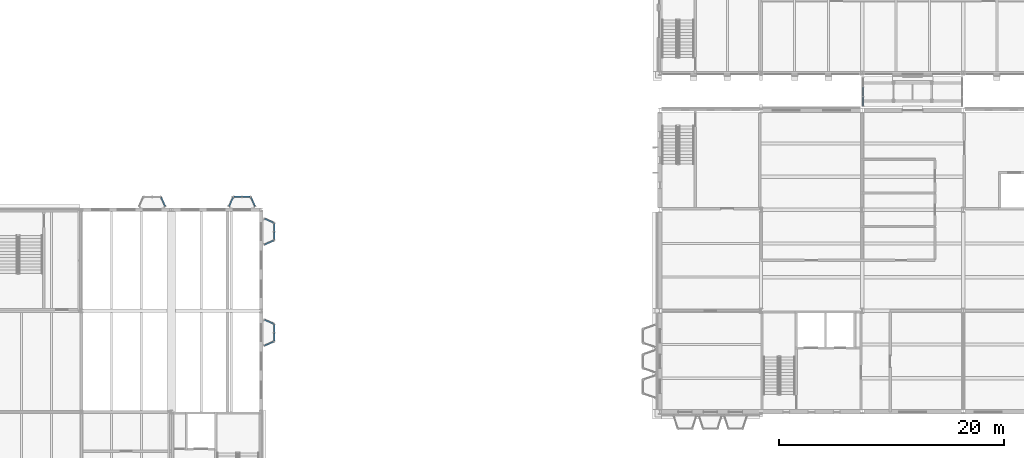
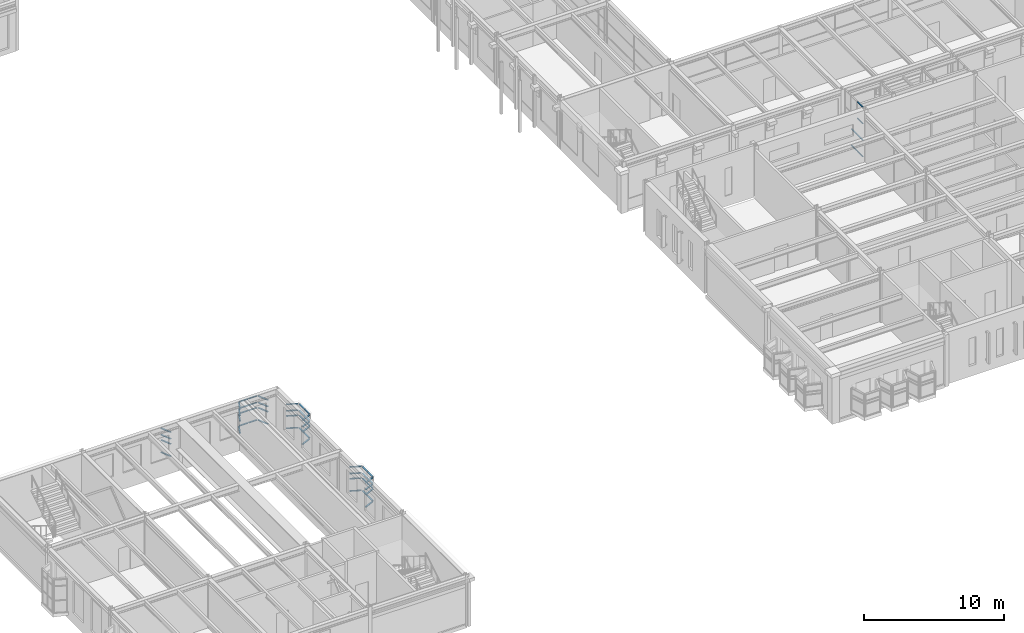
# One storey, part 76 of 153: 58 members, 11 elements without a shape of their own.
"""IFC4 building model written with IfcOpenShell, lengths in metres."""

from ifc_helpers import new_model, si_unit, direction, frame, origin, origin_2d, place, context, subcontext, project, spatial, hollow_rectangle, extrude, material, material_profile, profile_set, type_object, element, aggregate, save


model = new_model("IFC4")

# Units and contexts
model_context = context("Model", 3, precision=1e-05, world=origin(), true_north=direction((0.0, 1.0)))
body_context = subcontext(model_context, "Body", "Model", "MODEL_VIEW")
ifc_project = project(units=[si_unit("LENGTHUNIT", "METRE"), si_unit("AREAUNIT", "SQUARE_METRE"), si_unit("VOLUMEUNIT", "CUBIC_METRE"), si_unit("PLANEANGLEUNIT", "RADIAN"), si_unit("MASSUNIT", "GRAM", prefix="KILO")], contexts=[model_context])

# Site, building, storey
site_placement = place(None, origin())
site = spatial("IfcSite", under=ifc_project, at=site_placement, CompositionType="ELEMENT")
building_placement = place(site_placement, origin())
building = spatial("IfcBuilding", under=site, at=building_placement, Name="Kallimachos Central Library", CompositionType="ELEMENT")
storey_placement = place(building_placement, frame((0.0, 0.0, 5.39990234375)))
storey = spatial("IfcBuildingStorey", under=building, at=storey_placement, Name="L01", CompositionType="ELEMENT", Elevation=5.39990234375)

# Curtain wall, members
ifc_material_1 = material(Name="Laminated glass in anodised aluminium", Category="aluminium")
curtain_wall_type_1 = type_object("IfcCurtainWallType", Name="Foyer curtain wall", PredefinedType="NOTDEFINED", material=ifc_material_1)
curtain_wall_1_placement = place(storey_placement, origin())
curtain_wall_1 = element("IfcCurtainWall", 1, at=curtain_wall_1_placement, inside=storey, type_object=curtain_wall_type_1, Name="Tribune bay return west", PredefinedType="NOTDEFINED")
ifc_material_2 = material(Name="Anodised aluminium", Category="aluminium")
ifc_material_profile_1 = material_profile(ifc_material_2, hollow_rectangle(XDim=0.06005859375, YDim=0.1201171875, WallThickness=0.00390625, at=origin_2d()), Name="ALU TRANSOM 60x120")
ifc_profile_set_1 = profile_set([ifc_material_profile_1], Name="Anodised aluminium")
member_type_1 = type_object("IfcMemberType", Name="ALU TRANSOM 60x120 transom", PredefinedType="USERDEFINED", material=ifc_profile_set_1)
member_1_placement = place(storey_placement, frame((27.1494140625, 36.304931640625, 1.130126953125), z_axis=(0.406217040454, 0.913776622619, 0.0), x_axis=(0.0, 0.0, 1.0)))
member_1 = element("IfcMember", 2, at=member_1_placement, type_object=member_type_1, Name="CW transom 1.1", ObjectType="TRANSOM", PredefinedType="USERDEFINED", context=body_context, shape_type="SweptSolid", body=[
    extrude(hollow_rectangle(XDim=0.06005859375, YDim=0.1201171875, WallThickness=0.00390625, at=origin_2d()), origin(), (0.0, 0.0, 1.0), 0.86474609375),
])
member_2_placement = place(storey_placement, frame((27.1494140625, 36.304931640625, 2.2001953125), z_axis=(0.406217040454, 0.913776622619, 0.0), x_axis=(0.0, 0.0, 1.0)))
member_2 = element("IfcMember", 3, at=member_2_placement, type_object=member_type_1, Name="CW transom 1.2", ObjectType="TRANSOM", PredefinedType="USERDEFINED", context=body_context, shape_type="SweptSolid", body=[
    extrude(hollow_rectangle(XDim=0.06005859375, YDim=0.1201171875, WallThickness=0.00390625, at=origin_2d()), origin(), (0.0, 0.0, 1.0), 0.86474609375),
])
member_3_placement = place(storey_placement, frame((27.1494140625, 36.304931640625, 2.650146484375), z_axis=(0.406217040454, 0.913776622619, 0.0), x_axis=(0.0, 0.0, 1.0)))
member_3 = element("IfcMember", 4, at=member_3_placement, type_object=member_type_1, Name="CW transom 1.3", ObjectType="TRANSOM", PredefinedType="USERDEFINED", context=body_context, shape_type="SweptSolid", body=[
    extrude(hollow_rectangle(XDim=0.06005859375, YDim=0.1201171875, WallThickness=0.00390625, at=origin_2d()), origin(), (0.0, 0.0, 1.0), 0.86474609375),
])
member_4_placement = place(storey_placement, frame((27.1494140625, 36.304931640625, 3.22021484375), z_axis=(0.406217040454, 0.913776622619, 0.0), x_axis=(0.0, 0.0, 1.0)))
member_4 = element("IfcMember", 5, at=member_4_placement, type_object=member_type_1, Name="CW transom 1.4", ObjectType="TRANSOM", PredefinedType="USERDEFINED", context=body_context, shape_type="SweptSolid", body=[
    extrude(hollow_rectangle(XDim=0.06005859375, YDim=0.1201171875, WallThickness=0.00390625, at=origin_2d()), origin(), (0.0, 0.0, 1.0), 0.86474609375),
])
aggregate(curtain_wall_1, [member_1, member_2, member_3, member_4])

curtain_wall_2_placement = place(storey_placement, origin())
curtain_wall_2 = element("IfcCurtainWall", 6, at=curtain_wall_2_placement, inside=storey, type_object=curtain_wall_type_1, Name="Tribune bay front", PredefinedType="NOTDEFINED")
member_5_placement = place(storey_placement, frame((27.5849609375, 37.14990234375, 1.130126953125), z_axis=(1.0, 0.0, 0.0), x_axis=(0.0, 0.0, 1.0)))
member_5 = element("IfcMember", 7, at=member_5_placement, type_object=member_type_1, Name="CW transom 1.1", ObjectType="TRANSOM", PredefinedType="USERDEFINED", context=body_context, shape_type="SweptSolid", body=[
    extrude(hollow_rectangle(XDim=0.06005859375, YDim=0.1201171875, WallThickness=0.00390625, at=origin_2d()), origin(), (0.0, 0.0, 1.0), 0.68505859375),
])
member_6_placement = place(storey_placement, frame((27.5849609375, 37.14990234375, 2.2001953125), z_axis=(1.0, 0.0, 0.0), x_axis=(0.0, 0.0, 1.0)))
member_6 = element("IfcMember", 8, at=member_6_placement, type_object=member_type_1, Name="CW transom 1.2", ObjectType="TRANSOM", PredefinedType="USERDEFINED", context=body_context, shape_type="SweptSolid", body=[
    extrude(hollow_rectangle(XDim=0.06005859375, YDim=0.1201171875, WallThickness=0.00390625, at=origin_2d()), origin(), (0.0, 0.0, 1.0), 0.68505859375),
])
member_7_placement = place(storey_placement, frame((27.5849609375, 37.14990234375, 2.650146484375), z_axis=(1.0, 0.0, 0.0), x_axis=(0.0, 0.0, 1.0)))
member_7 = element("IfcMember", 9, at=member_7_placement, type_object=member_type_1, Name="CW transom 1.3", ObjectType="TRANSOM", PredefinedType="USERDEFINED", context=body_context, shape_type="SweptSolid", body=[
    extrude(hollow_rectangle(XDim=0.06005859375, YDim=0.1201171875, WallThickness=0.00390625, at=origin_2d()), origin(), (0.0, 0.0, 1.0), 0.68505859375),
])
member_8_placement = place(storey_placement, frame((27.5849609375, 37.14990234375, 3.22021484375), z_axis=(1.0, 0.0, 0.0), x_axis=(0.0, 0.0, 1.0)))
member_8 = element("IfcMember", 10, at=member_8_placement, type_object=member_type_1, Name="CW transom 1.4", ObjectType="TRANSOM", PredefinedType="USERDEFINED", context=body_context, shape_type="SweptSolid", body=[
    extrude(hollow_rectangle(XDim=0.06005859375, YDim=0.1201171875, WallThickness=0.00390625, at=origin_2d()), origin(), (0.0, 0.0, 1.0), 0.68505859375),
])
member_9_placement = place(storey_placement, frame((28.330078125, 37.14990234375, 1.130126953125), z_axis=(1.0, 0.0, 0.0), x_axis=(0.0, 0.0, 1.0)))
member_9 = element("IfcMember", 11, at=member_9_placement, type_object=member_type_1, Name="CW transom 2.1", ObjectType="TRANSOM", PredefinedType="USERDEFINED", context=body_context, shape_type="SweptSolid", body=[
    extrude(hollow_rectangle(XDim=0.06005859375, YDim=0.1201171875, WallThickness=0.00390625, at=origin_2d()), origin(), (0.0, 0.0, 1.0), 0.684814453125),
])
member_10_placement = place(storey_placement, frame((28.330078125, 37.14990234375, 2.2001953125), z_axis=(1.0, 0.0, 0.0), x_axis=(0.0, 0.0, 1.0)))
member_10 = element("IfcMember", 12, at=member_10_placement, type_object=member_type_1, Name="CW transom 2.2", ObjectType="TRANSOM", PredefinedType="USERDEFINED", context=body_context, shape_type="SweptSolid", body=[
    extrude(hollow_rectangle(XDim=0.06005859375, YDim=0.1201171875, WallThickness=0.00390625, at=origin_2d()), origin(), (0.0, 0.0, 1.0), 0.684814453125),
])
member_11_placement = place(storey_placement, frame((28.330078125, 37.14990234375, 2.650146484375), z_axis=(1.0, 0.0, 0.0), x_axis=(0.0, 0.0, 1.0)))
member_11 = element("IfcMember", 13, at=member_11_placement, type_object=member_type_1, Name="CW transom 2.3", ObjectType="TRANSOM", PredefinedType="USERDEFINED", context=body_context, shape_type="SweptSolid", body=[
    extrude(hollow_rectangle(XDim=0.06005859375, YDim=0.1201171875, WallThickness=0.00390625, at=origin_2d()), origin(), (0.0, 0.0, 1.0), 0.684814453125),
])
member_12_placement = place(storey_placement, frame((28.330078125, 37.14990234375, 3.22021484375), z_axis=(1.0, 0.0, 0.0), x_axis=(0.0, 0.0, 1.0)))
member_12 = element("IfcMember", 14, at=member_12_placement, type_object=member_type_1, Name="CW transom 2.4", ObjectType="TRANSOM", PredefinedType="USERDEFINED", context=body_context, shape_type="SweptSolid", body=[
    extrude(hollow_rectangle(XDim=0.06005859375, YDim=0.1201171875, WallThickness=0.00390625, at=origin_2d()), origin(), (0.0, 0.0, 1.0), 0.684814453125),
])
aggregate(curtain_wall_2, [member_5, member_6, member_7, member_8, member_9, member_10, member_11, member_12])

curtain_wall_3_placement = place(storey_placement, origin())
curtain_wall_3 = element("IfcCurtainWall", 15, at=curtain_wall_3_placement, inside=storey, type_object=curtain_wall_type_1, Name="Tribune bay return east", PredefinedType="NOTDEFINED")
member_13_placement = place(storey_placement, frame((29.099365234375, 37.09521484375, 1.130126953125), z_axis=(0.406217040454, -0.913776622619, 0.0), x_axis=(0.0, 0.0, 1.0)))
member_13 = element("IfcMember", 16, at=member_13_placement, type_object=member_type_1, Name="CW transom 1.1", ObjectType="TRANSOM", PredefinedType="USERDEFINED", context=body_context, shape_type="SweptSolid", body=[
    extrude(hollow_rectangle(XDim=0.06005859375, YDim=0.1201171875, WallThickness=0.00390625, at=origin_2d()), origin(), (0.0, 0.0, 1.0), 0.86474609375),
])
member_14_placement = place(storey_placement, frame((29.099365234375, 37.09521484375, 2.2001953125), z_axis=(0.406217040454, -0.913776622619, 0.0), x_axis=(0.0, 0.0, 1.0)))
member_14 = element("IfcMember", 17, at=member_14_placement, type_object=member_type_1, Name="CW transom 1.2", ObjectType="TRANSOM", PredefinedType="USERDEFINED", context=body_context, shape_type="SweptSolid", body=[
    extrude(hollow_rectangle(XDim=0.06005859375, YDim=0.1201171875, WallThickness=0.00390625, at=origin_2d()), origin(), (0.0, 0.0, 1.0), 0.86474609375),
])
member_15_placement = place(storey_placement, frame((29.099365234375, 37.09521484375, 2.650146484375), z_axis=(0.406217040454, -0.913776622619, 0.0), x_axis=(0.0, 0.0, 1.0)))
member_15 = element("IfcMember", 18, at=member_15_placement, type_object=member_type_1, Name="CW transom 1.3", ObjectType="TRANSOM", PredefinedType="USERDEFINED", context=body_context, shape_type="SweptSolid", body=[
    extrude(hollow_rectangle(XDim=0.06005859375, YDim=0.1201171875, WallThickness=0.00390625, at=origin_2d()), origin(), (0.0, 0.0, 1.0), 0.86474609375),
])
member_16_placement = place(storey_placement, frame((29.099365234375, 37.09521484375, 3.22021484375), z_axis=(0.406217040454, -0.913776622619, 0.0), x_axis=(0.0, 0.0, 1.0)))
member_16 = element("IfcMember", 19, at=member_16_placement, type_object=member_type_1, Name="CW transom 1.4", ObjectType="TRANSOM", PredefinedType="USERDEFINED", context=body_context, shape_type="SweptSolid", body=[
    extrude(hollow_rectangle(XDim=0.06005859375, YDim=0.1201171875, WallThickness=0.00390625, at=origin_2d()), origin(), (0.0, 0.0, 1.0), 0.86474609375),
])
aggregate(curtain_wall_3, [member_13, member_14, member_15, member_16])

curtain_wall_4_placement = place(storey_placement, origin())
curtain_wall_4 = element("IfcCurtainWall", 20, at=curtain_wall_4_placement, inside=storey, type_object=curtain_wall_type_1, Name="Tribune bay return west", PredefinedType="NOTDEFINED")
member_17_placement = place(storey_placement, frame((30.304931640625, 32.8994140625, 1.130126953125), z_axis=(0.913776622619, 0.406217040454, 0.0), x_axis=(0.0, 0.0, 1.0)))
member_17 = element("IfcMember", 21, at=member_17_placement, type_object=member_type_1, Name="CW transom 1.1", ObjectType="TRANSOM", PredefinedType="USERDEFINED", context=body_context, shape_type="SweptSolid", body=[
    extrude(hollow_rectangle(XDim=0.06005859375, YDim=0.1201171875, WallThickness=0.00390625, at=origin_2d()), origin(), (0.0, 0.0, 1.0), 0.86474609375),
])
member_18_placement = place(storey_placement, frame((30.304931640625, 32.8994140625, 2.2001953125), z_axis=(0.913776622619, 0.406217040454, 0.0), x_axis=(0.0, 0.0, 1.0)))
member_18 = element("IfcMember", 22, at=member_18_placement, type_object=member_type_1, Name="CW transom 1.2", ObjectType="TRANSOM", PredefinedType="USERDEFINED", context=body_context, shape_type="SweptSolid", body=[
    extrude(hollow_rectangle(XDim=0.06005859375, YDim=0.1201171875, WallThickness=0.00390625, at=origin_2d()), origin(), (0.0, 0.0, 1.0), 0.86474609375),
])
member_19_placement = place(storey_placement, frame((30.304931640625, 32.8994140625, 2.650146484375), z_axis=(0.913776622619, 0.406217040454, 0.0), x_axis=(0.0, 0.0, 1.0)))
member_19 = element("IfcMember", 23, at=member_19_placement, type_object=member_type_1, Name="CW transom 1.3", ObjectType="TRANSOM", PredefinedType="USERDEFINED", context=body_context, shape_type="SweptSolid", body=[
    extrude(hollow_rectangle(XDim=0.06005859375, YDim=0.1201171875, WallThickness=0.00390625, at=origin_2d()), origin(), (0.0, 0.0, 1.0), 0.86474609375),
])
member_20_placement = place(storey_placement, frame((30.304931640625, 32.8994140625, 3.22021484375), z_axis=(0.913776622619, 0.406217040454, 0.0), x_axis=(0.0, 0.0, 1.0)))
member_20 = element("IfcMember", 24, at=member_20_placement, type_object=member_type_1, Name="CW transom 1.4", ObjectType="TRANSOM", PredefinedType="USERDEFINED", context=body_context, shape_type="SweptSolid", body=[
    extrude(hollow_rectangle(XDim=0.06005859375, YDim=0.1201171875, WallThickness=0.00390625, at=origin_2d()), origin(), (0.0, 0.0, 1.0), 0.86474609375),
])
aggregate(curtain_wall_4, [member_17, member_18, member_19, member_20])

curtain_wall_5_placement = place(storey_placement, origin())
curtain_wall_5 = element("IfcCurtainWall", 25, at=curtain_wall_5_placement, inside=storey, type_object=curtain_wall_type_1, Name="Tribune bay front", PredefinedType="NOTDEFINED")
member_21_placement = place(storey_placement, frame((31.14990234375, 33.3349609375, 1.130126953125), z_axis=(0.0, 1.0, 0.0), x_axis=(0.0, 0.0, 1.0)))
member_21 = element("IfcMember", 26, at=member_21_placement, type_object=member_type_1, Name="CW transom 1.1", ObjectType="TRANSOM", PredefinedType="USERDEFINED", context=body_context, shape_type="SweptSolid", body=[
    extrude(hollow_rectangle(XDim=0.06005859375, YDim=0.1201171875, WallThickness=0.00390625, at=origin_2d()), origin(), (0.0, 0.0, 1.0), 0.68505859375),
])
member_22_placement = place(storey_placement, frame((31.14990234375, 33.3349609375, 2.2001953125), z_axis=(0.0, 1.0, 0.0), x_axis=(0.0, 0.0, 1.0)))
member_22 = element("IfcMember", 27, at=member_22_placement, type_object=member_type_1, Name="CW transom 1.2", ObjectType="TRANSOM", PredefinedType="USERDEFINED", context=body_context, shape_type="SweptSolid", body=[
    extrude(hollow_rectangle(XDim=0.06005859375, YDim=0.1201171875, WallThickness=0.00390625, at=origin_2d()), origin(), (0.0, 0.0, 1.0), 0.68505859375),
])
member_23_placement = place(storey_placement, frame((31.14990234375, 33.3349609375, 2.650146484375), z_axis=(0.0, 1.0, 0.0), x_axis=(0.0, 0.0, 1.0)))
member_23 = element("IfcMember", 28, at=member_23_placement, type_object=member_type_1, Name="CW transom 1.3", ObjectType="TRANSOM", PredefinedType="USERDEFINED", context=body_context, shape_type="SweptSolid", body=[
    extrude(hollow_rectangle(XDim=0.06005859375, YDim=0.1201171875, WallThickness=0.00390625, at=origin_2d()), origin(), (0.0, 0.0, 1.0), 0.68505859375),
])
member_24_placement = place(storey_placement, frame((31.14990234375, 33.3349609375, 3.22021484375), z_axis=(0.0, 1.0, 0.0), x_axis=(0.0, 0.0, 1.0)))
member_24 = element("IfcMember", 29, at=member_24_placement, type_object=member_type_1, Name="CW transom 1.4", ObjectType="TRANSOM", PredefinedType="USERDEFINED", context=body_context, shape_type="SweptSolid", body=[
    extrude(hollow_rectangle(XDim=0.06005859375, YDim=0.1201171875, WallThickness=0.00390625, at=origin_2d()), origin(), (0.0, 0.0, 1.0), 0.68505859375),
])
member_25_placement = place(storey_placement, frame((31.14990234375, 34.080078125, 1.130126953125), z_axis=(0.0, 1.0, 0.0), x_axis=(0.0, 0.0, 1.0)))
member_25 = element("IfcMember", 30, at=member_25_placement, type_object=member_type_1, Name="CW transom 2.1", ObjectType="TRANSOM", PredefinedType="USERDEFINED", context=body_context, shape_type="SweptSolid", body=[
    extrude(hollow_rectangle(XDim=0.06005859375, YDim=0.1201171875, WallThickness=0.00390625, at=origin_2d()), origin(), (0.0, 0.0, 1.0), 0.684814453125),
])
member_26_placement = place(storey_placement, frame((31.14990234375, 34.080078125, 2.2001953125), z_axis=(0.0, 1.0, 0.0), x_axis=(0.0, 0.0, 1.0)))
member_26 = element("IfcMember", 31, at=member_26_placement, type_object=member_type_1, Name="CW transom 2.2", ObjectType="TRANSOM", PredefinedType="USERDEFINED", context=body_context, shape_type="SweptSolid", body=[
    extrude(hollow_rectangle(XDim=0.06005859375, YDim=0.1201171875, WallThickness=0.00390625, at=origin_2d()), origin(), (0.0, 0.0, 1.0), 0.684814453125),
])
member_27_placement = place(storey_placement, frame((31.14990234375, 34.080078125, 2.650146484375), z_axis=(0.0, 1.0, 0.0), x_axis=(0.0, 0.0, 1.0)))
member_27 = element("IfcMember", 32, at=member_27_placement, type_object=member_type_1, Name="CW transom 2.3", ObjectType="TRANSOM", PredefinedType="USERDEFINED", context=body_context, shape_type="SweptSolid", body=[
    extrude(hollow_rectangle(XDim=0.06005859375, YDim=0.1201171875, WallThickness=0.00390625, at=origin_2d()), origin(), (0.0, 0.0, 1.0), 0.684814453125),
])
member_28_placement = place(storey_placement, frame((31.14990234375, 34.080078125, 3.22021484375), z_axis=(0.0, 1.0, 0.0), x_axis=(0.0, 0.0, 1.0)))
member_28 = element("IfcMember", 33, at=member_28_placement, type_object=member_type_1, Name="CW transom 2.4", ObjectType="TRANSOM", PredefinedType="USERDEFINED", context=body_context, shape_type="SweptSolid", body=[
    extrude(hollow_rectangle(XDim=0.06005859375, YDim=0.1201171875, WallThickness=0.00390625, at=origin_2d()), origin(), (0.0, 0.0, 1.0), 0.684814453125),
])
aggregate(curtain_wall_5, [member_21, member_22, member_23, member_24, member_25, member_26, member_27, member_28])

curtain_wall_6_placement = place(storey_placement, origin())
curtain_wall_6 = element("IfcCurtainWall", 34, at=curtain_wall_6_placement, inside=storey, type_object=curtain_wall_type_1, Name="Tribune bay return east", PredefinedType="NOTDEFINED")
member_29_placement = place(storey_placement, frame((31.09521484375, 34.849365234375, 1.130126953125), z_axis=(-0.913776622619, 0.406217040454, 0.0), x_axis=(0.0, 0.0, 1.0)))
member_29 = element("IfcMember", 35, at=member_29_placement, type_object=member_type_1, Name="CW transom 1.1", ObjectType="TRANSOM", PredefinedType="USERDEFINED", context=body_context, shape_type="SweptSolid", body=[
    extrude(hollow_rectangle(XDim=0.06005859375, YDim=0.1201171875, WallThickness=0.00390625, at=origin_2d()), origin(), (0.0, 0.0, 1.0), 0.86474609375),
])
member_30_placement = place(storey_placement, frame((31.09521484375, 34.849365234375, 2.2001953125), z_axis=(-0.913776622619, 0.406217040454, 0.0), x_axis=(0.0, 0.0, 1.0)))
member_30 = element("IfcMember", 36, at=member_30_placement, type_object=member_type_1, Name="CW transom 1.2", ObjectType="TRANSOM", PredefinedType="USERDEFINED", context=body_context, shape_type="SweptSolid", body=[
    extrude(hollow_rectangle(XDim=0.06005859375, YDim=0.1201171875, WallThickness=0.00390625, at=origin_2d()), origin(), (0.0, 0.0, 1.0), 0.86474609375),
])
member_31_placement = place(storey_placement, frame((31.09521484375, 34.849365234375, 2.650146484375), z_axis=(-0.913776622619, 0.406217040454, 0.0), x_axis=(0.0, 0.0, 1.0)))
member_31 = element("IfcMember", 37, at=member_31_placement, type_object=member_type_1, Name="CW transom 1.3", ObjectType="TRANSOM", PredefinedType="USERDEFINED", context=body_context, shape_type="SweptSolid", body=[
    extrude(hollow_rectangle(XDim=0.06005859375, YDim=0.1201171875, WallThickness=0.00390625, at=origin_2d()), origin(), (0.0, 0.0, 1.0), 0.86474609375),
])
member_32_placement = place(storey_placement, frame((31.09521484375, 34.849365234375, 3.22021484375), z_axis=(-0.913776622619, 0.406217040454, 0.0), x_axis=(0.0, 0.0, 1.0)))
member_32 = element("IfcMember", 38, at=member_32_placement, type_object=member_type_1, Name="CW transom 1.4", ObjectType="TRANSOM", PredefinedType="USERDEFINED", context=body_context, shape_type="SweptSolid", body=[
    extrude(hollow_rectangle(XDim=0.06005859375, YDim=0.1201171875, WallThickness=0.00390625, at=origin_2d()), origin(), (0.0, 0.0, 1.0), 0.86474609375),
])
aggregate(curtain_wall_6, [member_29, member_30, member_31, member_32])

curtain_wall_7_placement = place(storey_placement, origin())
curtain_wall_7 = element("IfcCurtainWall", 39, at=curtain_wall_7_placement, inside=storey, type_object=curtain_wall_type_1, Name="Tribune bay return east", PredefinedType="NOTDEFINED")
member_33_placement = place(storey_placement, frame((21.099365234375, 37.09521484375, 1.130126953125), z_axis=(0.406217040454, -0.913776622619, 0.0), x_axis=(0.0, 0.0, 1.0)))
member_33 = element("IfcMember", 40, at=member_33_placement, type_object=member_type_1, Name="CW transom 1.1", ObjectType="TRANSOM", PredefinedType="USERDEFINED", context=body_context, shape_type="SweptSolid", body=[
    extrude(hollow_rectangle(XDim=0.06005859375, YDim=0.1201171875, WallThickness=0.00390625, at=origin_2d()), origin(), (0.0, 0.0, 1.0), 0.86474609375),
])
member_34_placement = place(storey_placement, frame((21.099365234375, 37.09521484375, 2.2001953125), z_axis=(0.406217040454, -0.913776622619, 0.0), x_axis=(0.0, 0.0, 1.0)))
member_34 = element("IfcMember", 41, at=member_34_placement, type_object=member_type_1, Name="CW transom 1.2", ObjectType="TRANSOM", PredefinedType="USERDEFINED", context=body_context, shape_type="SweptSolid", body=[
    extrude(hollow_rectangle(XDim=0.06005859375, YDim=0.1201171875, WallThickness=0.00390625, at=origin_2d()), origin(), (0.0, 0.0, 1.0), 0.86474609375),
])
member_35_placement = place(storey_placement, frame((21.099365234375, 37.09521484375, 2.650146484375), z_axis=(0.406217040454, -0.913776622619, 0.0), x_axis=(0.0, 0.0, 1.0)))
member_35 = element("IfcMember", 42, at=member_35_placement, type_object=member_type_1, Name="CW transom 1.3", ObjectType="TRANSOM", PredefinedType="USERDEFINED", context=body_context, shape_type="SweptSolid", body=[
    extrude(hollow_rectangle(XDim=0.06005859375, YDim=0.1201171875, WallThickness=0.00390625, at=origin_2d()), origin(), (0.0, 0.0, 1.0), 0.86474609375),
])
member_36_placement = place(storey_placement, frame((21.099365234375, 37.09521484375, 3.22021484375), z_axis=(0.406217040454, -0.913776622619, 0.0), x_axis=(0.0, 0.0, 1.0)))
member_36 = element("IfcMember", 43, at=member_36_placement, type_object=member_type_1, Name="CW transom 1.4", ObjectType="TRANSOM", PredefinedType="USERDEFINED", context=body_context, shape_type="SweptSolid", body=[
    extrude(hollow_rectangle(XDim=0.06005859375, YDim=0.1201171875, WallThickness=0.00390625, at=origin_2d()), origin(), (0.0, 0.0, 1.0), 0.86474609375),
])
aggregate(curtain_wall_7, [member_33, member_34, member_35, member_36])

curtain_wall_8_placement = place(storey_placement, origin())
curtain_wall_8 = element("IfcCurtainWall", 44, at=curtain_wall_8_placement, inside=storey, type_object=curtain_wall_type_1, Name="Tribune bay return west", PredefinedType="NOTDEFINED")
member_37_placement = place(storey_placement, frame((30.304931640625, 23.8994140625, 1.130126953125), z_axis=(0.913776622619, 0.406217040454, 0.0), x_axis=(0.0, 0.0, 1.0)))
member_37 = element("IfcMember", 45, at=member_37_placement, type_object=member_type_1, Name="CW transom 1.1", ObjectType="TRANSOM", PredefinedType="USERDEFINED", context=body_context, shape_type="SweptSolid", body=[
    extrude(hollow_rectangle(XDim=0.06005859375, YDim=0.1201171875, WallThickness=0.00390625, at=origin_2d()), origin(), (0.0, 0.0, 1.0), 0.86474609375),
])
member_38_placement = place(storey_placement, frame((30.304931640625, 23.8994140625, 2.2001953125), z_axis=(0.913776622619, 0.406217040454, 0.0), x_axis=(0.0, 0.0, 1.0)))
member_38 = element("IfcMember", 46, at=member_38_placement, type_object=member_type_1, Name="CW transom 1.2", ObjectType="TRANSOM", PredefinedType="USERDEFINED", context=body_context, shape_type="SweptSolid", body=[
    extrude(hollow_rectangle(XDim=0.06005859375, YDim=0.1201171875, WallThickness=0.00390625, at=origin_2d()), origin(), (0.0, 0.0, 1.0), 0.86474609375),
])
member_39_placement = place(storey_placement, frame((30.304931640625, 23.8994140625, 2.650146484375), z_axis=(0.913776622619, 0.406217040454, 0.0), x_axis=(0.0, 0.0, 1.0)))
member_39 = element("IfcMember", 47, at=member_39_placement, type_object=member_type_1, Name="CW transom 1.3", ObjectType="TRANSOM", PredefinedType="USERDEFINED", context=body_context, shape_type="SweptSolid", body=[
    extrude(hollow_rectangle(XDim=0.06005859375, YDim=0.1201171875, WallThickness=0.00390625, at=origin_2d()), origin(), (0.0, 0.0, 1.0), 0.86474609375),
])
member_40_placement = place(storey_placement, frame((30.304931640625, 23.8994140625, 3.22021484375), z_axis=(0.913776622619, 0.406217040454, 0.0), x_axis=(0.0, 0.0, 1.0)))
member_40 = element("IfcMember", 48, at=member_40_placement, type_object=member_type_1, Name="CW transom 1.4", ObjectType="TRANSOM", PredefinedType="USERDEFINED", context=body_context, shape_type="SweptSolid", body=[
    extrude(hollow_rectangle(XDim=0.06005859375, YDim=0.1201171875, WallThickness=0.00390625, at=origin_2d()), origin(), (0.0, 0.0, 1.0), 0.86474609375),
])
aggregate(curtain_wall_8, [member_37, member_38, member_39, member_40])

curtain_wall_9_placement = place(storey_placement, origin())
curtain_wall_9 = element("IfcCurtainWall", 49, at=curtain_wall_9_placement, inside=storey, type_object=curtain_wall_type_1, Name="Tribune bay front", PredefinedType="NOTDEFINED")
member_41_placement = place(storey_placement, frame((31.14990234375, 24.3349609375, 1.130126953125), z_axis=(0.0, 1.0, 0.0), x_axis=(0.0, 0.0, 1.0)))
member_41 = element("IfcMember", 50, at=member_41_placement, type_object=member_type_1, Name="CW transom 1.1", ObjectType="TRANSOM", PredefinedType="USERDEFINED", context=body_context, shape_type="SweptSolid", body=[
    extrude(hollow_rectangle(XDim=0.06005859375, YDim=0.1201171875, WallThickness=0.00390625, at=origin_2d()), origin(), (0.0, 0.0, 1.0), 0.68505859375),
])
member_42_placement = place(storey_placement, frame((31.14990234375, 24.3349609375, 2.2001953125), z_axis=(0.0, 1.0, 0.0), x_axis=(0.0, 0.0, 1.0)))
member_42 = element("IfcMember", 51, at=member_42_placement, type_object=member_type_1, Name="CW transom 1.2", ObjectType="TRANSOM", PredefinedType="USERDEFINED", context=body_context, shape_type="SweptSolid", body=[
    extrude(hollow_rectangle(XDim=0.06005859375, YDim=0.1201171875, WallThickness=0.00390625, at=origin_2d()), origin(), (0.0, 0.0, 1.0), 0.68505859375),
])
member_43_placement = place(storey_placement, frame((31.14990234375, 24.3349609375, 2.650146484375), z_axis=(0.0, 1.0, 0.0), x_axis=(0.0, 0.0, 1.0)))
member_43 = element("IfcMember", 52, at=member_43_placement, type_object=member_type_1, Name="CW transom 1.3", ObjectType="TRANSOM", PredefinedType="USERDEFINED", context=body_context, shape_type="SweptSolid", body=[
    extrude(hollow_rectangle(XDim=0.06005859375, YDim=0.1201171875, WallThickness=0.00390625, at=origin_2d()), origin(), (0.0, 0.0, 1.0), 0.68505859375),
])
member_44_placement = place(storey_placement, frame((31.14990234375, 24.3349609375, 3.22021484375), z_axis=(0.0, 1.0, 0.0), x_axis=(0.0, 0.0, 1.0)))
member_44 = element("IfcMember", 53, at=member_44_placement, type_object=member_type_1, Name="CW transom 1.4", ObjectType="TRANSOM", PredefinedType="USERDEFINED", context=body_context, shape_type="SweptSolid", body=[
    extrude(hollow_rectangle(XDim=0.06005859375, YDim=0.1201171875, WallThickness=0.00390625, at=origin_2d()), origin(), (0.0, 0.0, 1.0), 0.68505859375),
])
member_45_placement = place(storey_placement, frame((31.14990234375, 25.080078125, 1.130126953125), z_axis=(0.0, 1.0, 0.0), x_axis=(0.0, 0.0, 1.0)))
member_45 = element("IfcMember", 54, at=member_45_placement, type_object=member_type_1, Name="CW transom 2.1", ObjectType="TRANSOM", PredefinedType="USERDEFINED", context=body_context, shape_type="SweptSolid", body=[
    extrude(hollow_rectangle(XDim=0.06005859375, YDim=0.1201171875, WallThickness=0.00390625, at=origin_2d()), origin(), (0.0, 0.0, 1.0), 0.684814453125),
])
member_46_placement = place(storey_placement, frame((31.14990234375, 25.080078125, 2.2001953125), z_axis=(0.0, 1.0, 0.0), x_axis=(0.0, 0.0, 1.0)))
member_46 = element("IfcMember", 55, at=member_46_placement, type_object=member_type_1, Name="CW transom 2.2", ObjectType="TRANSOM", PredefinedType="USERDEFINED", context=body_context, shape_type="SweptSolid", body=[
    extrude(hollow_rectangle(XDim=0.06005859375, YDim=0.1201171875, WallThickness=0.00390625, at=origin_2d()), origin(), (0.0, 0.0, 1.0), 0.684814453125),
])
member_47_placement = place(storey_placement, frame((31.14990234375, 25.080078125, 2.650146484375), z_axis=(0.0, 1.0, 0.0), x_axis=(0.0, 0.0, 1.0)))
member_47 = element("IfcMember", 56, at=member_47_placement, type_object=member_type_1, Name="CW transom 2.3", ObjectType="TRANSOM", PredefinedType="USERDEFINED", context=body_context, shape_type="SweptSolid", body=[
    extrude(hollow_rectangle(XDim=0.06005859375, YDim=0.1201171875, WallThickness=0.00390625, at=origin_2d()), origin(), (0.0, 0.0, 1.0), 0.684814453125),
])
member_48_placement = place(storey_placement, frame((31.14990234375, 25.080078125, 3.22021484375), z_axis=(0.0, 1.0, 0.0), x_axis=(0.0, 0.0, 1.0)))
member_48 = element("IfcMember", 57, at=member_48_placement, type_object=member_type_1, Name="CW transom 2.4", ObjectType="TRANSOM", PredefinedType="USERDEFINED", context=body_context, shape_type="SweptSolid", body=[
    extrude(hollow_rectangle(XDim=0.06005859375, YDim=0.1201171875, WallThickness=0.00390625, at=origin_2d()), origin(), (0.0, 0.0, 1.0), 0.684814453125),
])
aggregate(curtain_wall_9, [member_41, member_42, member_43, member_44, member_45, member_46, member_47, member_48])

curtain_wall_10_placement = place(storey_placement, origin())
curtain_wall_10 = element("IfcCurtainWall", 58, at=curtain_wall_10_placement, inside=storey, type_object=curtain_wall_type_1, Name="Tribune bay return east", PredefinedType="NOTDEFINED")
member_49_placement = place(storey_placement, frame((31.09521484375, 25.849365234375, 1.130126953125), z_axis=(-0.913776622619, 0.406217040454, 0.0), x_axis=(0.0, 0.0, 1.0)))
member_49 = element("IfcMember", 59, at=member_49_placement, type_object=member_type_1, Name="CW transom 1.1", ObjectType="TRANSOM", PredefinedType="USERDEFINED", context=body_context, shape_type="SweptSolid", body=[
    extrude(hollow_rectangle(XDim=0.06005859375, YDim=0.1201171875, WallThickness=0.00390625, at=origin_2d()), origin(), (0.0, 0.0, 1.0), 0.86474609375),
])
member_50_placement = place(storey_placement, frame((31.09521484375, 25.849365234375, 2.2001953125), z_axis=(-0.913776622619, 0.406217040454, 0.0), x_axis=(0.0, 0.0, 1.0)))
member_50 = element("IfcMember", 60, at=member_50_placement, type_object=member_type_1, Name="CW transom 1.2", ObjectType="TRANSOM", PredefinedType="USERDEFINED", context=body_context, shape_type="SweptSolid", body=[
    extrude(hollow_rectangle(XDim=0.06005859375, YDim=0.1201171875, WallThickness=0.00390625, at=origin_2d()), origin(), (0.0, 0.0, 1.0), 0.86474609375),
])
member_51_placement = place(storey_placement, frame((31.09521484375, 25.849365234375, 2.650146484375), z_axis=(-0.913776622619, 0.406217040454, 0.0), x_axis=(0.0, 0.0, 1.0)))
member_51 = element("IfcMember", 61, at=member_51_placement, type_object=member_type_1, Name="CW transom 1.3", ObjectType="TRANSOM", PredefinedType="USERDEFINED", context=body_context, shape_type="SweptSolid", body=[
    extrude(hollow_rectangle(XDim=0.06005859375, YDim=0.1201171875, WallThickness=0.00390625, at=origin_2d()), origin(), (0.0, 0.0, 1.0), 0.86474609375),
])
member_52_placement = place(storey_placement, frame((31.09521484375, 25.849365234375, 3.22021484375), z_axis=(-0.913776622619, 0.406217040454, 0.0), x_axis=(0.0, 0.0, 1.0)))
member_52 = element("IfcMember", 62, at=member_52_placement, type_object=member_type_1, Name="CW transom 1.4", ObjectType="TRANSOM", PredefinedType="USERDEFINED", context=body_context, shape_type="SweptSolid", body=[
    extrude(hollow_rectangle(XDim=0.06005859375, YDim=0.1201171875, WallThickness=0.00390625, at=origin_2d()), origin(), (0.0, 0.0, 1.0), 0.86474609375),
])
aggregate(curtain_wall_10, [member_49, member_50, member_51, member_52])

ifc_material_3 = material(Name="Aluminium and laminated glass", Category="aluminium")
curtain_wall_type_2 = type_object("IfcCurtainWallType", Name="Link glazed wall", PredefinedType="NOTDEFINED", material=ifc_material_3)
curtain_wall_11_placement = place(storey_placement, origin())
curtain_wall_11 = element("IfcCurtainWall", 63, at=curtain_wall_11_placement, inside=storey, type_object=curtain_wall_type_2, Name="Stacks Link glazed wall L01", PredefinedType="NOTDEFINED")
ifc_material_4 = material(Name="Anodised aluminium", Category="aluminium")
ifc_material_profile_2 = material_profile(ifc_material_4, hollow_rectangle(XDim=0.06005859375, YDim=0.080078125, WallThickness=0.00390625, at=origin_2d()), Name="ALU TRANSOM 60x80")
ifc_profile_set_2 = profile_set([ifc_material_profile_2], Name="Anodised aluminium")
member_type_2 = type_object("IfcMemberType", Name="ALU TRANSOM 60x80 transom", PredefinedType="USERDEFINED", material=ifc_profile_set_2)
member_53_placement = place(storey_placement, frame((83.580078125, 45.260009765625, 0.030029296875), z_axis=(0.0, 1.0, 0.0), x_axis=(0.0, 0.0, 1.0)))
member_53 = element("IfcMember", 64, at=member_53_placement, type_object=member_type_2, Name="CW60 transom 1.1", ObjectType="TRANSOM", PredefinedType="USERDEFINED", context=body_context, shape_type="SweptSolid", body=[
    extrude(hollow_rectangle(XDim=0.06005859375, YDim=0.080078125, WallThickness=0.00390625, at=origin_2d()), origin(), (0.0, 0.0, 1.0), 0.776611328125),
])
member_54_placement = place(storey_placement, frame((83.580078125, 45.260009765625, 1.4501953125), z_axis=(0.0, 1.0, 0.0), x_axis=(0.0, 0.0, 1.0)))
member_54 = element("IfcMember", 65, at=member_54_placement, type_object=member_type_2, Name="CW60 transom 1.2", ObjectType="TRANSOM", PredefinedType="USERDEFINED", context=body_context, shape_type="SweptSolid", body=[
    extrude(hollow_rectangle(XDim=0.06005859375, YDim=0.080078125, WallThickness=0.00390625, at=origin_2d()), origin(), (0.0, 0.0, 1.0), 0.776611328125),
])
member_55_placement = place(storey_placement, frame((83.580078125, 45.260009765625, 2.900146484375), z_axis=(0.0, 1.0, 0.0), x_axis=(0.0, 0.0, 1.0)))
member_55 = element("IfcMember", 66, at=member_55_placement, type_object=member_type_2, Name="CW60 transom 1.3", ObjectType="TRANSOM", PredefinedType="USERDEFINED", context=body_context, shape_type="SweptSolid", body=[
    extrude(hollow_rectangle(XDim=0.06005859375, YDim=0.080078125, WallThickness=0.00390625, at=origin_2d()), origin(), (0.0, 0.0, 1.0), 0.776611328125),
])
member_56_placement = place(storey_placement, frame((83.580078125, 45.260009765625, 4.320068359375), z_axis=(0.0, 1.0, 0.0), x_axis=(0.0, 0.0, 1.0)))
member_56 = element("IfcMember", 67, at=member_56_placement, type_object=member_type_2, Name="CW60 transom 1.4", ObjectType="TRANSOM", PredefinedType="USERDEFINED", context=body_context, shape_type="SweptSolid", body=[
    extrude(hollow_rectangle(XDim=0.06005859375, YDim=0.080078125, WallThickness=0.00390625, at=origin_2d()), origin(), (0.0, 0.0, 1.0), 0.776611328125),
])
member_57_placement = place(storey_placement, frame((83.580078125, 46.0966796875, 0.030029296875), z_axis=(0.0, 1.0, 0.0), x_axis=(0.0, 0.0, 1.0)))
member_57 = element("IfcMember", 68, at=member_57_placement, type_object=member_type_2, Name="CW60 transom 2.1", ObjectType="TRANSOM", PredefinedType="USERDEFINED", context=body_context, shape_type="SweptSolid", body=[
    extrude(hollow_rectangle(XDim=0.06005859375, YDim=0.080078125, WallThickness=0.00390625, at=origin_2d()), origin(), (0.0, 0.0, 1.0), 0.806640625),
])
member_58_placement = place(storey_placement, frame((83.580078125, 46.0966796875, 1.4501953125), z_axis=(0.0, 1.0, 0.0), x_axis=(0.0, 0.0, 1.0)))
member_58 = element("IfcMember", 69, at=member_58_placement, type_object=member_type_2, Name="CW60 transom 2.2", ObjectType="TRANSOM", PredefinedType="USERDEFINED", context=body_context, shape_type="SweptSolid", body=[
    extrude(hollow_rectangle(XDim=0.06005859375, YDim=0.080078125, WallThickness=0.00390625, at=origin_2d()), origin(), (0.0, 0.0, 1.0), 0.806640625),
])
aggregate(curtain_wall_11, [member_53, member_54, member_55, member_56, member_57, member_58])

save(model, "model.ifc")
